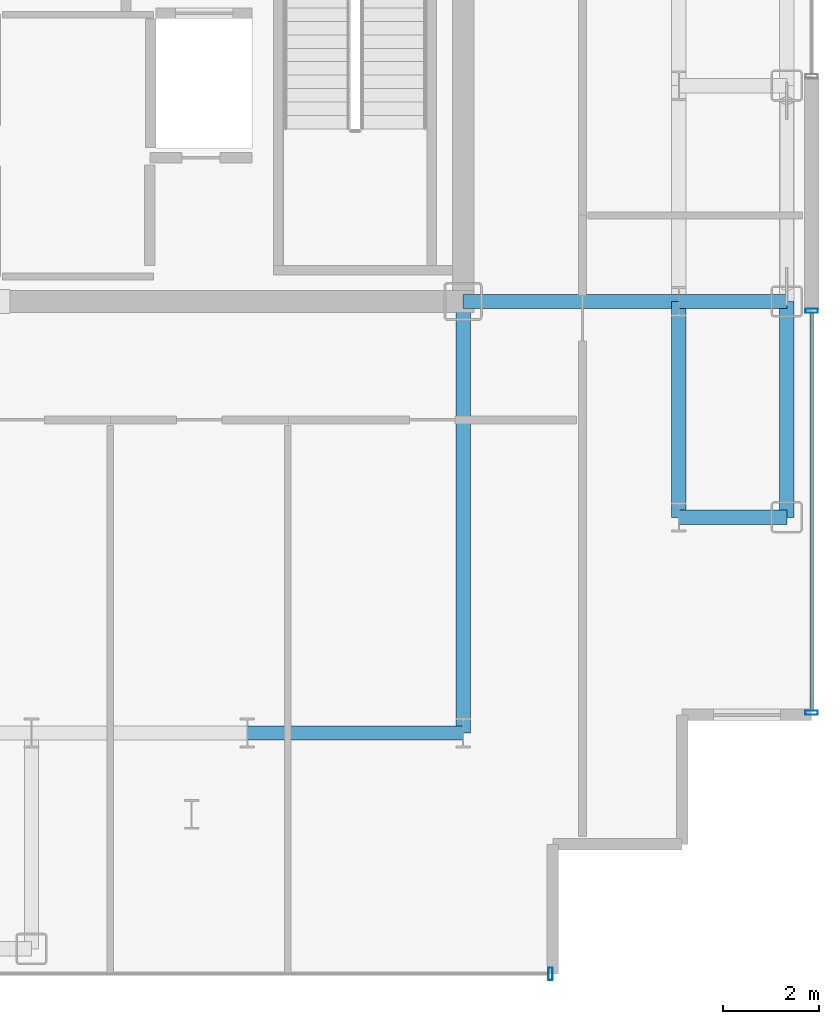
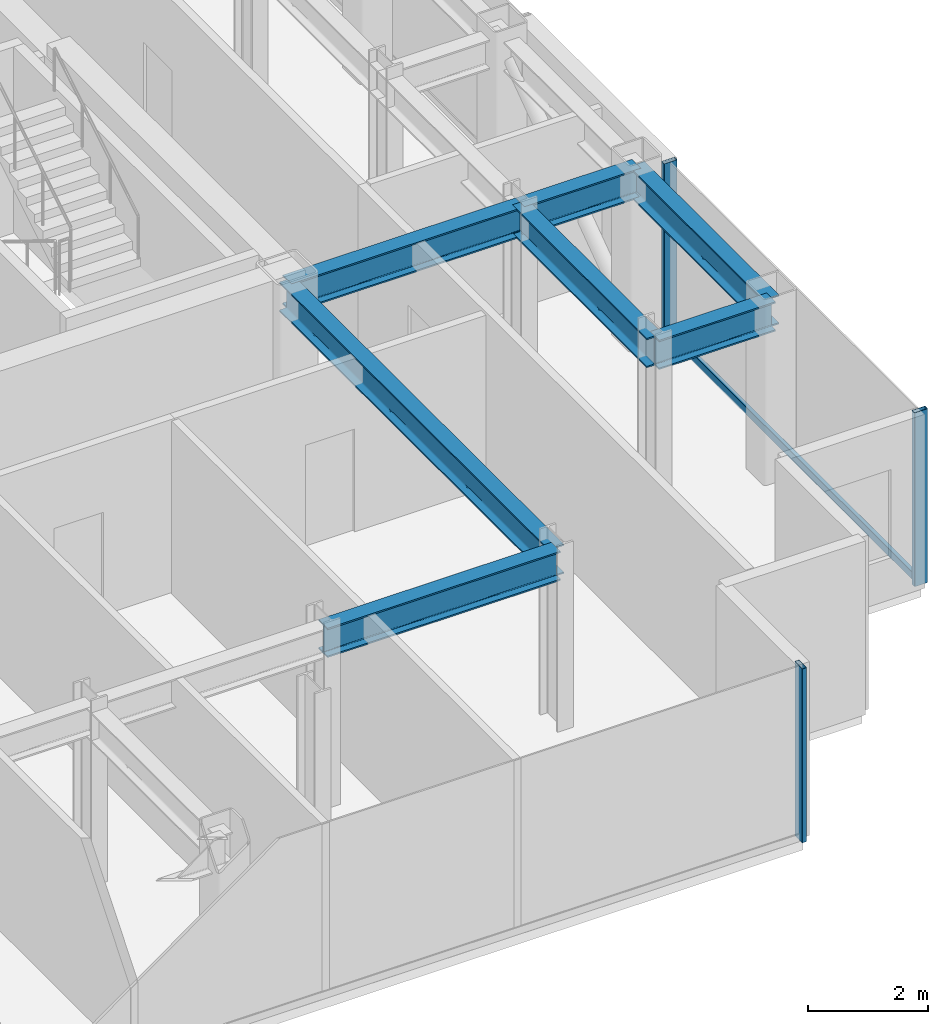
# One storey, part 5 of 16: 7 beams, 4 members, 2 elements without a shape of their own.
"""IFC4 building model written with IfcOpenShell, lengths in metres."""

from ifc_helpers import new_model, si_unit, direction, frame, origin, origin_2d, place, context, subcontext, project, spatial, hollow_rectangle, i_section, extrude, source, transform, mapped, material, layer, layer_set, material_profile, profile_set, type_object, element, aggregate, save


model = new_model("IFC4")

# Units and contexts
model_context = context("Model", 3, precision=1e-05, world=origin(), true_north=direction((0.0, 1.0)))
body_context = subcontext(model_context, "Body", "Model", "MODEL_VIEW")
ifc_project = project(units=[si_unit("LENGTHUNIT", "METRE"), si_unit("AREAUNIT", "SQUARE_METRE"), si_unit("VOLUMEUNIT", "CUBIC_METRE"), si_unit("PLANEANGLEUNIT", "RADIAN"), si_unit("MASSUNIT", "GRAM", prefix="KILO")], contexts=[model_context])

# Site, building, storey
site_placement = place(None, origin())
site = spatial("IfcSite", under=ifc_project, at=site_placement, CompositionType="ELEMENT")
building_placement = place(site_placement, origin())
building = spatial("IfcBuilding", under=site, at=building_placement, Name="Nefas-Gora Pilgrimage Tower", CompositionType="ELEMENT")
storey_placement = place(building_placement, frame((0.0, 0.0, 276.0)))
storey = spatial("IfcBuildingStorey", under=building, at=storey_placement, Name="L69", CompositionType="ELEMENT", Elevation=276.0)

# Beams
ifc_material_1 = material(Name="Steel S355", Category="steel")
ifc_material_profile_1 = material_profile(ifc_material_1, i_section(OverallWidth=0.300048828125, OverallDepth=0.60009765625, WebThickness=0.015380859375, FlangeThickness=0.030029296875, FilletRadius=0.027099609375, at=origin_2d()), Name="HEB 600")
ifc_profile_set_1 = profile_set([ifc_material_profile_1], Name="Steel S355")
beam_type_1 = type_object("IfcBeamType", Name="BM-SPN-HEB450", PredefinedType="SPANDREL", material=ifc_profile_set_1)
shared_shape_1 = source(origin(), body_context, "Body", "SweptSolid", [
    extrude(i_section(OverallWidth=0.300048828125, OverallDepth=0.60009765625, WebThickness=0.015380859375, FlangeThickness=0.030029296875, FilletRadius=0.027099609375, at=origin_2d()), origin(), (0.0, 0.0, 1.0), 4.5),
])
beam_1_placement = place(storey_placement, frame((18.0, -13.5, 3.25), z_axis=(0.0, 1.0, 0.0), x_axis=(-1.0, 0.0, 0.0)))
element("IfcBeam", 1, at=beam_1_placement, inside=storey, type_object=beam_type_1, Name="L69 SP-03 beam", PredefinedType="SPANDREL", context=body_context, shape_type="MappedRepresentation", body=[
    mapped(shared_shape_1, transform((0.0, 0.0, 0.0), x_axis=(1.0, 0.0, 0.0), y_axis=(0.0, 1.0, 0.0), z_axis=(0.0, 0.0, 1.0), scale=1.0)),
])
ifc_material_profile_2 = material_profile(ifc_material_1, i_section(OverallWidth=0.300048828125, OverallDepth=0.60009765625, WebThickness=0.015380859375, FlangeThickness=0.030029296875, FilletRadius=0.027099609375, at=origin_2d()), Name="HEB 600")
ifc_profile_set_2 = profile_set([ifc_material_profile_2], Name="Steel S355")
beam_type_2 = type_object("IfcBeamType", Name="BM-GIR-HEB600", PredefinedType="BEAM", material=ifc_profile_set_2)
shared_shape_2 = source(origin(), body_context, "Body", "SweptSolid", [
    extrude(i_section(OverallWidth=0.300048828125, OverallDepth=0.60009765625, WebThickness=0.015380859375, FlangeThickness=0.030029296875, FilletRadius=0.027099609375, at=origin_2d()), origin(), (0.0, 0.0, 1.0), 9.0),
])
beam_2_placement = place(storey_placement, frame((11.25, -18.0, 3.25), z_axis=(0.0, 1.0, 0.0), x_axis=(-1.0, 0.0, 0.0)))
element("IfcBeam", 2, at=beam_2_placement, inside=storey, type_object=beam_type_2, Name="L69 G-04 beam", PredefinedType="BEAM", context=body_context, shape_type="MappedRepresentation", body=[
    mapped(shared_shape_2, transform((0.0, 0.0, 0.0), x_axis=(1.0, 0.0, 0.0), y_axis=(0.0, 1.0, 0.0), z_axis=(0.0, 0.0, 1.0), scale=1.0)),
])
shared_shape_3 = source(origin(), body_context, "Body", "SweptSolid", [
    extrude(i_section(OverallWidth=0.300048828125, OverallDepth=0.60009765625, WebThickness=0.015380859375, FlangeThickness=0.030029296875, FilletRadius=0.027099609375, at=origin_2d()), origin(), (0.0, 0.0, 1.0), 4.5),
])
for number, where, z_axis, x_axis, name in (
    (3, (6.75, -18.0, 3.25), (1.0, 0.0, 0.0), (0.0, 1.0, 0.0), "L69 G-04 beam"),
    (4, (11.25, -9.0, 3.25), (1.0, 0.0, 0.0), (0.0, 1.0, 0.0), "L69 G-04 beam"),
    (5, (15.75, -13.5, 3.25), (0.0, 1.0, 0.0), (-1.0, 0.0, 0.0), "L69 G-04 beam"),
):
    element("IfcBeam", number, at=place(storey_placement, frame(where, z_axis=z_axis, x_axis=x_axis)), inside=storey, type_object=beam_type_2, Name=name, PredefinedType="BEAM", context=body_context, shape_type="MappedRepresentation", body=[
        mapped(shared_shape_3, transform((0.0, 0.0, 0.0), x_axis=(1.0, 0.0, 0.0), y_axis=(0.0, 1.0, 0.0), z_axis=(0.0, 0.0, 1.0), scale=1.0)),
    ])
shared_shape_4 = source(origin(), body_context, "Body", "SweptSolid", [
    extrude(i_section(OverallWidth=0.300048828125, OverallDepth=0.60009765625, WebThickness=0.015380859375, FlangeThickness=0.030029296875, FilletRadius=0.027099609375, at=origin_2d()), origin(), (0.0, 0.0, 1.0), 2.25),
])
for number, where, z_axis, x_axis, name in (
    (6, (15.75, -13.5, 3.25), (1.0, 0.0, 0.0), (0.0, 1.0, 0.0), "L69 G-04 beam"),
    (7, (15.75, -9.0, 3.25), (1.0, 0.0, 0.0), (0.0, 1.0, 0.0), "L69 G-04 beam"),
):
    element("IfcBeam", number, at=place(storey_placement, frame(where, z_axis=z_axis, x_axis=x_axis)), inside=storey, type_object=beam_type_2, Name=name, PredefinedType="BEAM", context=body_context, shape_type="MappedRepresentation", body=[
        mapped(shared_shape_4, transform((0.0, 0.0, 0.0), x_axis=(1.0, 0.0, 0.0), y_axis=(0.0, 1.0, 0.0), z_axis=(0.0, 0.0, 1.0), scale=1.0)),
    ])

# Curtain wall, members
ifc_material_2 = material(Name="Dark ceramic-fritted solar-control aluminium-glass curtain wall", Category="aluminium")
ifc_layer = layer(ifc_material_2, 0.219970703125)
ifc_layer_set = layer_set([ifc_layer], Name="Dark ceramic-fritted solar-control aluminium-glass curtain wall")
curtain_wall_type = type_object("IfcCurtainWallType", Name="CW-SYS-4", PredefinedType="NOTDEFINED", material=ifc_layer_set)
curtain_wall_1_placement = place(storey_placement, origin())
curtain_wall_1 = element("IfcCurtainWall", 8, at=curtain_wall_1_placement, inside=storey, type_object=curtain_wall_type, Name="L69 Unitised Curtain Wall CW4", PredefinedType="NOTDEFINED")
ifc_material_3 = material(Name="Anodised architectural aluminium", Category="aluminium")
ifc_material_profile_3 = material_profile(ifc_material_3, hollow_rectangle(XDim=0.080078125, YDim=0.159912109375, WallThickness=0.00439453125, InnerFilletRadius=0.00439453125, OuterFilletRadius=0.009033203125, at=origin_2d()), Name="ALU TRANSOM 80x160")
ifc_profile_set_3 = profile_set([ifc_material_profile_3], Name="Anodised architectural aluminium")
member_type_1 = type_object("IfcMemberType", Name="CWM-TRN-4", PredefinedType="USERDEFINED", material=ifc_profile_set_3)
shared_shape_5 = source(origin(), body_context, "Body", "SweptSolid", [
    extrude(hollow_rectangle(XDim=0.080078125, YDim=0.159912109375, WallThickness=0.00439453125, InnerFilletRadius=0.00439453125, OuterFilletRadius=0.009033203125, at=origin_2d()), origin(), (0.0, 0.0, 1.0), 8.2900390625),
])
member_1_placement = place(storey_placement, frame((18.52001953125, -17.530029296875, 0.050048828125), z_axis=(0.0, 1.0, 0.0), x_axis=(-1.0, 0.0, 0.0)))
member_1 = element("IfcMember", 9, at=member_1_placement, type_object=member_type_1, Name="CW4 Spandrel Transom", ObjectType="TRANSOM", PredefinedType="USERDEFINED", context=body_context, shape_type="MappedRepresentation", body=[
    mapped(shared_shape_5, transform((0.0, 0.0, 0.0), x_axis=(1.0, 0.0, 0.0), y_axis=(0.0, 1.0, 0.0), z_axis=(0.0, 0.0, 1.0), scale=1.0)),
])
ifc_material_profile_4 = material_profile(ifc_material_3, hollow_rectangle(XDim=0.090087890625, YDim=0.260009765625, WallThickness=0.006103515625, InnerFilletRadius=0.006103515625, OuterFilletRadius=0.011962890625, at=origin_2d()), Name="ALU MULLION 90x260")
ifc_profile_set_4 = profile_set([ifc_material_profile_4], Name="Anodised architectural aluminium")
member_type_2 = type_object("IfcMemberType", Name="CWM-MUL-4", PredefinedType="MULLION", material=ifc_profile_set_4)
shared_shape_6 = source(origin(), body_context, "Body", "SweptSolid", [
    extrude(hollow_rectangle(XDim=0.090087890625, YDim=0.260009765625, WallThickness=0.006103515625, InnerFilletRadius=0.006103515625, OuterFilletRadius=0.011962890625, at=origin_2d()), origin(), (0.0, 0.0, 1.0), 3.550048828125),
])
member_2_placement = place(storey_placement, frame((18.52001953125, -17.574951171875, 0.0), z_axis=(0.0, 0.0, 1.0), x_axis=(0.0, 1.0, 0.0)))
member_2 = element("IfcMember", 10, at=member_2_placement, type_object=member_type_2, Name="CW4 Mullion 1", PredefinedType="MULLION", context=body_context, shape_type="MappedRepresentation", body=[
    mapped(shared_shape_6, transform((0.0, 0.0, 0.0), x_axis=(1.0, 0.0, 0.0), y_axis=(0.0, 1.0, 0.0), z_axis=(0.0, 0.0, 1.0), scale=1.0)),
])
member_3_placement = place(storey_placement, frame((18.52001953125, -9.195068359375, 0.0), z_axis=(0.0, 0.0, 1.0), x_axis=(0.0, 1.0, 0.0)))
member_3 = element("IfcMember", 11, at=member_3_placement, type_object=member_type_2, Name="CW4 Mullion 2", PredefinedType="MULLION", context=body_context, shape_type="MappedRepresentation", body=[
    mapped(shared_shape_6, transform((0.0, 0.0, 0.0), x_axis=(1.0, 0.0, 0.0), y_axis=(0.0, 1.0, 0.0), z_axis=(0.0, 0.0, 1.0), scale=1.0)),
])
aggregate(curtain_wall_1, [member_2, member_3, member_1])

# Curtain wall, member
curtain_wall_2_placement = place(storey_placement, origin())
curtain_wall_2 = element("IfcCurtainWall", 12, at=curtain_wall_2_placement, inside=storey, type_object=curtain_wall_type, Name="L69 Unitised Curtain Wall CW4", PredefinedType="NOTDEFINED")
member_4_placement = place(storey_placement, frame((13.074951171875, -23.02001953125, 0.0), z_axis=(0.0, 0.0, 1.0), x_axis=(1.0, 0.0, 0.0)))
member_4 = element("IfcMember", 13, at=member_4_placement, type_object=member_type_2, Name="CW4 Mullion 2", PredefinedType="MULLION", context=body_context, shape_type="MappedRepresentation", body=[
    mapped(shared_shape_6, transform((0.0, 0.0, 0.0), x_axis=(1.0, 0.0, 0.0), y_axis=(0.0, 1.0, 0.0), z_axis=(0.0, 0.0, 1.0), scale=1.0)),
])
aggregate(curtain_wall_2, [member_4])

save(model, "model.ifc")
